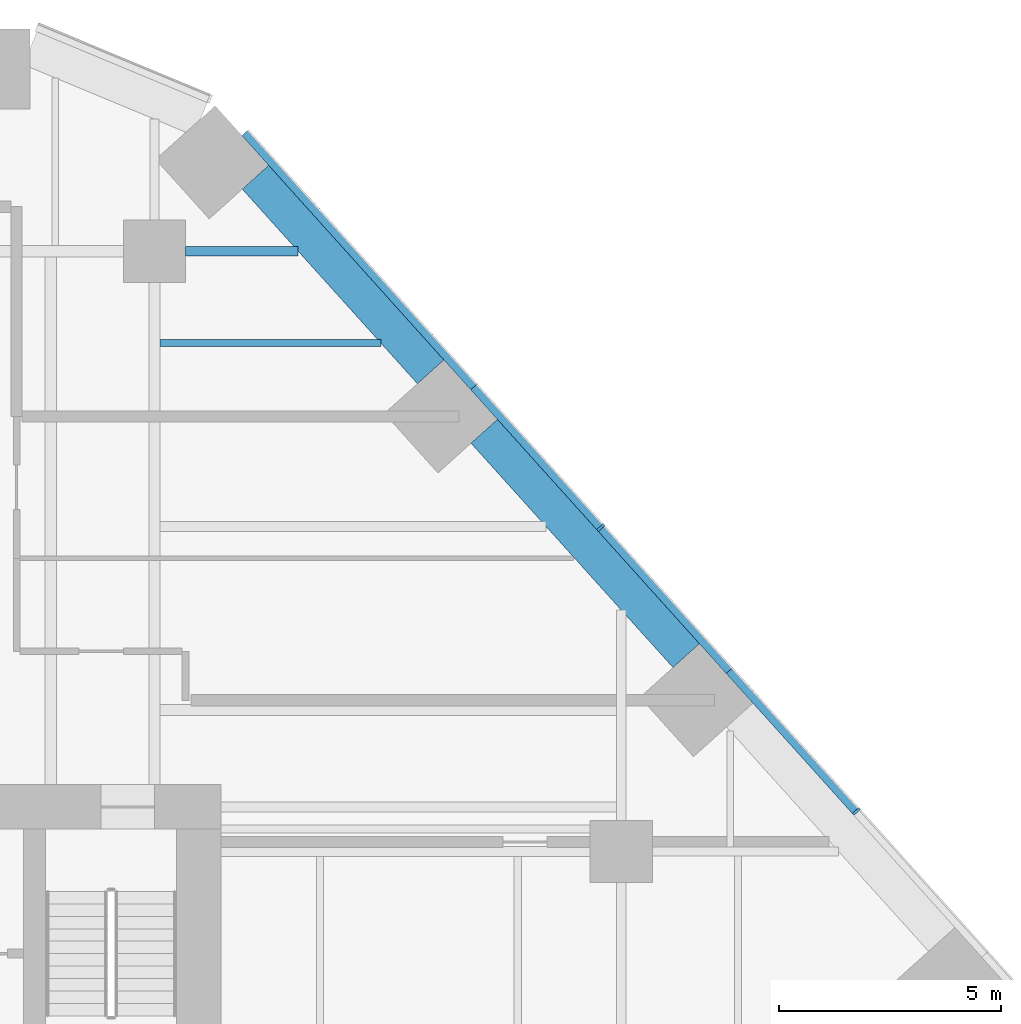
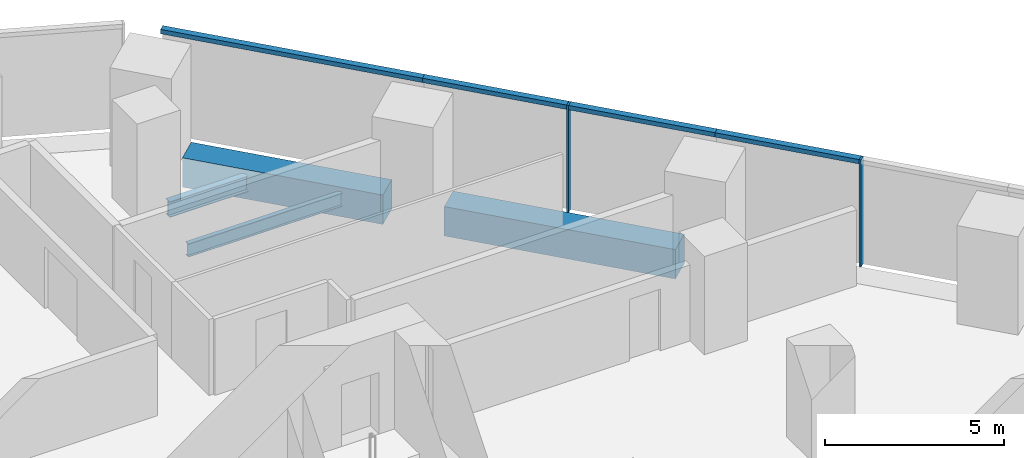
# One storey, part 10 of 20: 6 members, 4 beams, 1 element without a shape of its own.
"""IFC4 building model written with IfcOpenShell, lengths in metres."""

import ifcopenshell
import ifcopenshell.guid

model = None  # the IFC model being written
_history = None  # IfcOwnerHistory: only IFC2X3 demands one
_inside = {}  # id of a spatial element -> (the spatial element, [elements in it])
_under = {}  # id of a project, library or spatial element -> (it, [spatial elements below it])
_declared = {}  # id of a project -> (the project, [libraries it declares])
_typed = {}  # id of a type object -> (the type object, [elements of that type])
_made_of = {}  # id of a material, layer set ... -> (it, [elements and type objects made of it])


def new_model(schema):
    """Start an empty IFC model of exactly this schema.

    Asked for "IFC4X3", IfcOpenShell would pick the latest addendum, in which some entities
    have other attributes; the version numbers below select the first issue.
    IFC2X3 requires an IfcOwnerHistory on every rooted entity: one is made here for all.
    """
    global model, _history
    if schema == "IFC4X3":
        model = ifcopenshell.file(schema_version=(4, 3, 0, 0))
    else:
        model = ifcopenshell.file(schema=schema)
    _inside.clear()
    _under.clear()
    _declared.clear()
    _typed.clear()
    _made_of.clear()
    _history = None
    if model.schema == "IFC2X3":
        org = make("IfcOrganization", Name="unknown")
        user = make(
            "IfcPersonAndOrganization",
            ThePerson=make("IfcPerson", FamilyName="unknown"),
            TheOrganization=org,
        )
        app = make(
            "IfcApplication",
            ApplicationDeveloper=org,
            Version="unknown",
            ApplicationFullName="unknown",
            ApplicationIdentifier="unknown",
        )
        _history = make(
            "IfcOwnerHistory",
            OwningUser=user,
            OwningApplication=app,
            ChangeAction="ADDED",
            CreationDate=0,
        )
    return model


def make(cls, **values):
    """One entity of the class cls with the attributes given. An attribute that is None is left unset."""
    return model.create_entity(
        cls, **{name: value for name, value in values.items() if value is not None}
    )


def rooted(cls, **values):
    """An entity with a GlobalId (a new one), such as an element, a storey or a relation."""
    return make(cls, GlobalId=ifcopenshell.guid.new(), OwnerHistory=_history, **values)


def si_unit(unit_type, name, prefix=None):
    """IfcSIUnit, for example si_unit("LENGTHUNIT", "METRE", prefix="MILLI")."""
    return make("IfcSIUnit", UnitType=unit_type, Prefix=prefix, Name=name)


def assignment(units):
    """IfcUnitAssignment: the units of a project."""
    return None if units is None else make("IfcUnitAssignment", Units=units)


def point(xyz):
    """IfcCartesianPoint."""
    return None if xyz is None else make("IfcCartesianPoint", Coordinates=xyz)


def direction(xyz):
    """IfcDirection."""
    return None if xyz is None else make("IfcDirection", DirectionRatios=xyz)


def frame(location, z_axis=None, x_axis=None):
    """IfcAxis2Placement3D, a coordinate frame: its origin and axes. An axis left out is left unset."""
    return make(
        "IfcAxis2Placement3D",
        Location=point(location),
        Axis=direction(z_axis),
        RefDirection=direction(x_axis),
    )


def frame_2d(location, x_axis=None):
    """IfcAxis2Placement2D, a coordinate frame in the plane: its origin and x axis."""
    return make(
        "IfcAxis2Placement2D", Location=point(location), RefDirection=direction(x_axis)
    )


def origin():
    """The frame at (0, 0, 0) with its axes left unset."""
    return frame((0.0, 0.0, 0.0))


def origin_2d():
    """The frame at (0, 0) in the plane with its x axis left unset."""
    return frame_2d((0.0, 0.0))


def place(relative_to, where):
    """IfcLocalPlacement: puts the frame where relative to a parent placement (None: the world)."""
    return make(
        "IfcLocalPlacement", PlacementRelTo=relative_to, RelativePlacement=where
    )


def context(
    kind, dimensions, precision=None, world=None, true_north=None, identifier=None
):
    """IfcGeometricRepresentationContext, for example the 3D "Model" context."""
    return make(
        "IfcGeometricRepresentationContext",
        ContextIdentifier=identifier,
        ContextType=kind,
        CoordinateSpaceDimension=dimensions,
        Precision=precision,
        WorldCoordinateSystem=world,
        TrueNorth=true_north,
    )


def subcontext(parent, identifier, kind, view, scale=None):
    """IfcGeometricRepresentationSubContext, for example "Body" below "Model"."""
    return make(
        "IfcGeometricRepresentationSubContext",
        ContextIdentifier=identifier,
        ContextType=kind,
        ParentContext=parent,
        TargetScale=scale,
        TargetView=view,
    )


def project(units=None, contexts=None):
    """IfcProject with its units and contexts."""
    return rooted(
        "IfcProject",
        Name="project",
        RepresentationContexts=contexts,
        UnitsInContext=assignment(units),
    )


def spatial(cls, under=None, at=None, **own):
    """A site, building, storey or space (cls), placed at a placement, below another one or the project."""
    s = rooted(cls, ObjectPlacement=at, **own)
    if under is not None:
        _under.setdefault(under.id(), (under, []))[1].append(s)
    return s


def profile(cls, at=None, kind="AREA", **sizes):
    """A parametric profile (cls). Its sizes go by their IFC names, for example OverallWidth=200.0."""
    return make(cls, ProfileType=kind, Position=at, **sizes)


def rectangle(**sizes):
    """IfcRectangleProfileDef."""
    return profile("IfcRectangleProfileDef", **sizes)


def i_section(**sizes):
    """IfcIShapeProfileDef."""
    return profile("IfcIShapeProfileDef", **sizes)


def extrude(swept, where, along, depth):
    """IfcExtrudedAreaSolid: the profile swept, set in the frame where, extruded along a direction by depth."""
    return make(
        "IfcExtrudedAreaSolid",
        SweptArea=swept,
        Position=where,
        ExtrudedDirection=direction(along),
        Depth=depth,
    )


def shape(context_of_items, identifier, shape_type, items):
    """IfcShapeRepresentation: the items that make up one representation, for example the "Body"."""
    return make(
        "IfcShapeRepresentation",
        ContextOfItems=context_of_items,
        RepresentationIdentifier=identifier,
        RepresentationType=shape_type,
        Items=items,
    )


def material(Name=None, Category=None):
    """IfcMaterial."""
    return make("IfcMaterial", Name=Name, Category=Category)


def layer(
    of_material, thickness, ventilated=None, Name=None, Category=None, Priority=None
):
    """IfcMaterialLayer: one layer of a wall or slab, of a material (None: an air gap)."""
    return make(
        "IfcMaterialLayer",
        Material=of_material,
        LayerThickness=thickness,
        IsVentilated=ventilated,
        Name=Name,
        Category=Category,
        Priority=Priority,
    )


def layer_set(layers, Name=None):
    """IfcMaterialLayerSet."""
    return make("IfcMaterialLayerSet", MaterialLayers=layers, LayerSetName=Name)


def material_profile(
    of_material, cross_section, Name=None, Category=None, Priority=None
):
    """IfcMaterialProfile: a cross section and its material."""
    return make(
        "IfcMaterialProfile",
        Name=Name,
        Material=of_material,
        Profile=cross_section,
        Priority=Priority,
        Category=Category,
    )


def profile_set(profiles, Name=None, composite=None):
    """IfcMaterialProfileSet."""
    return make(
        "IfcMaterialProfileSet",
        Name=Name,
        MaterialProfiles=profiles,
        CompositeProfile=composite,
    )


def made_of(thing, what):
    """Note that an element or type object is made of a material, layer set ...; save() writes the relation."""
    if what is not None:
        _made_of.setdefault(what.id(), (what, []))[1].append(thing)
    return thing


def type_object(cls, material=None, **own):
    """A type object (cls), such as IfcWallType, which elements share."""
    return made_of(rooted(cls, **own), material)


def element(
    cls,
    number,
    at=None,
    inside=None,
    cuts=None,
    type_object=None,
    material=None,
    context=None,
    identifier="Body",
    shape_type=None,
    held_by="IfcProductDefinitionShape",
    body=None,
    shapes=None,
    **own,
):
    """One element of the class cls, such as IfcWall. Its Tag is "e" and its number.

    at: its placement. inside: the storey or other place that contains it. cuts: it is an
    opening in that element (IfcRelVoidsElement). A single representation is given by context,
    identifier, shape_type and body (its items); several are given by shapes. held_by: the class
    of the entity that holds the representations. save() writes the other relations.
    """
    e = rooted(cls, Tag="e%d" % number, ObjectPlacement=at, **own)
    if body is not None:
        shapes = [shape(context, identifier, shape_type, body)]
    if shapes is not None:
        e.Representation = make(held_by, Representations=shapes)
    if inside is not None:
        _inside.setdefault(inside.id(), (inside, []))[1].append(e)
    if cuts is not None:
        rooted(
            "IfcRelVoidsElement", RelatingBuildingElement=cuts, RelatedOpeningElement=e
        )
    if type_object is not None:
        _typed.setdefault(type_object.id(), (type_object, []))[1].append(e)
    return made_of(e, material)


def aggregate(whole, parts):
    """IfcRelAggregates: a whole, such as a stair, and the parts it consists of."""
    return rooted("IfcRelAggregates", RelatingObject=whole, RelatedObjects=parts)


def save(model, path):
    """Write the relations noted so far, then the file.

    IfcRelAggregates (storeys below a building ...), IfcRelContainedInSpatialStructure (elements
    in a storey), IfcRelDefinesByType, IfcRelAssociatesMaterial and IfcRelDeclares: one each for
    every whole, place, type object, material and project.
    """
    for whole, parts in _under.values():
        aggregate(whole, parts)
    for where, things in _inside.values():
        rooted(
            "IfcRelContainedInSpatialStructure",
            RelatedElements=things,
            RelatingStructure=where,
        )
    for kind, things in _typed.values():
        rooted("IfcRelDefinesByType", RelatedObjects=things, RelatingType=kind)
    for what, things in _made_of.values():
        rooted("IfcRelAssociatesMaterial", RelatedObjects=things, RelatingMaterial=what)
    for by, libraries in _declared.values():
        rooted("IfcRelDeclares", RelatingContext=by, RelatedDefinitions=libraries)
    model.write(path)


model = new_model("IFC4")

# Units and contexts
model_context = context("Model", 3, precision=1e-05, world=origin(), true_north=direction((0.0, 1.0)))
body_context = subcontext(model_context, "Body", "Model", "MODEL_VIEW")
ifc_project = project(units=[si_unit("LENGTHUNIT", "METRE"), si_unit("AREAUNIT", "SQUARE_METRE"), si_unit("VOLUMEUNIT", "CUBIC_METRE"), si_unit("PLANEANGLEUNIT", "RADIAN"), si_unit("MASSUNIT", "GRAM", prefix="KILO")], contexts=[model_context])

# Site, building, storey
site_placement = place(None, origin())
site = spatial("IfcSite", under=ifc_project, at=site_placement, CompositionType="ELEMENT")
building_placement = place(site_placement, origin())
building = spatial("IfcBuilding", under=site, at=building_placement, Name="Isthmus Gate Tower", CompositionType="ELEMENT")
storey_placement = place(building_placement, frame((0.0, 0.0, 72.5)))
storey = spatial("IfcBuildingStorey", under=building, at=storey_placement, Name="L16", CompositionType="ELEMENT", Elevation=72.5)

# Curtain wall, members
ifc_material_1 = material(Name="Aluminium, pale champagne anodised", Category="aluminium")
ifc_layer = layer(ifc_material_1, 0.199951171875)
ifc_layer_set = layer_set([ifc_layer], Name="CW-1 UNITISED CURTAIN WALL 200 DEEP")
curtain_wall_type = type_object("IfcCurtainWallType", Name="CW-1 UNITISED CURTAIN WALL 200 DEEP", PredefinedType="NOTDEFINED", material=ifc_layer_set)
curtain_wall_placement = place(storey_placement, origin())
curtain_wall = element("IfcCurtainWall", 1, at=curtain_wall_placement, inside=storey, type_object=curtain_wall_type, Name="CW-1 NE L16", PredefinedType="NOTDEFINED")
ifc_material_2 = material(Name="Aluminium, pale champagne anodised", Category="aluminium")
ifc_material_profile_1 = material_profile(ifc_material_2, rectangle(XDim=0.06005859375, YDim=0.199951171875, at=origin_2d()), Name="60x200")
ifc_profile_set_1 = profile_set([ifc_material_profile_1], Name="Aluminium, pale champagne anodised")
member_type_1 = type_object("IfcMemberType", Name="CW-1 MULLION 60 X 200", PredefinedType="MULLION", material=ifc_profile_set_1)
member_1_placement = place(storey_placement, frame((29.287841796875, 14.400146484375, 0.0), z_axis=(0.0, 0.0, 1.0), x_axis=(-0.669130606359, 0.743144825477, 0.0)))
member_1 = element("IfcMember", 2, at=member_1_placement, type_object=member_type_1, Name="CW-1 mullion", PredefinedType="MULLION", context=body_context, shape_type="SweptSolid", body=[
    extrude(rectangle(XDim=0.06005859375, YDim=0.199951171875, at=origin_2d()), origin(), (0.0, 0.0, 1.0), 3.64990234375),
])
member_2_placement = place(storey_placement, frame((23.54052734375, 20.783447265625, 0.0), z_axis=(0.0, 0.0, 1.0), x_axis=(-0.669130606359, 0.743144825477, 0.0)))
member_2 = element("IfcMember", 3, at=member_2_placement, type_object=member_type_1, Name="CW-1 mullion", PredefinedType="MULLION", context=body_context, shape_type="SweptSolid", body=[
    extrude(rectangle(XDim=0.06005859375, YDim=0.199951171875, at=origin_2d()), origin(), (0.0, 0.0, 1.0), 3.64990234375),
])
ifc_material_3 = material(Name="Aluminium, pale champagne anodised", Category="aluminium")
ifc_material_profile_2 = material_profile(ifc_material_3, rectangle(XDim=0.199951171875, YDim=0.14990234375, at=origin_2d()), Name="200x150")
ifc_profile_set_2 = profile_set([ifc_material_profile_2], Name="Aluminium, pale champagne anodised")
member_type_2 = type_object("IfcMemberType", Name="CW-1 TRANSOM 200 X 150", PredefinedType="USERDEFINED", material=ifc_profile_set_2)
member_3_placement = place(storey_placement, frame((29.267822265625, 14.422607421875, 3.574951171875), z_axis=(-0.669123979474, 0.743150792298, 0.0), x_axis=(-0.743150792298, -0.669123979474, 0.0)))
member_3 = element("IfcMember", 4, at=member_3_placement, type_object=member_type_2, Name="CW-1 transom", ObjectType="TRANSOM", PredefinedType="USERDEFINED", context=body_context, shape_type="SweptSolid", body=[
    extrude(rectangle(XDim=0.199951171875, YDim=0.14990234375, at=origin_2d()), origin(), (0.0, 0.0, 1.0), 4.234619140625),
])
member_4_placement = place(storey_placement, frame((26.434326171875, 17.569580078125, 3.574951171875), z_axis=(-0.669159437096, 0.743118865153, 0.0), x_axis=(-0.743118865153, -0.669159437096, 0.0)))
member_4 = element("IfcMember", 5, at=member_4_placement, type_object=member_type_2, Name="CW-1 transom", ObjectType="TRANSOM", PredefinedType="USERDEFINED", context=body_context, shape_type="SweptSolid", body=[
    extrude(rectangle(XDim=0.199951171875, YDim=0.14990234375, at=origin_2d()), origin(), (0.0, 0.0, 1.0), 4.294677734375),
])
member_5_placement = place(storey_placement, frame((23.520263671875, 20.8056640625, 3.574951171875), z_axis=(-0.669123979474, 0.743150792298, 0.0), x_axis=(-0.743150792298, -0.669123979474, 0.0)))
member_5 = element("IfcMember", 6, at=member_5_placement, type_object=member_type_2, Name="CW-1 transom", ObjectType="TRANSOM", PredefinedType="USERDEFINED", context=body_context, shape_type="SweptSolid", body=[
    extrude(rectangle(XDim=0.199951171875, YDim=0.14990234375, at=origin_2d()), origin(), (0.0, 0.0, 1.0), 4.234619140625),
])
member_6_placement = place(storey_placement, frame((20.686767578125, 23.95263671875, 3.574951171875), z_axis=(-0.669115577823, 0.743158356957, 0.0), x_axis=(-0.743158356957, -0.669115577823, 0.0)))
member_6 = element("IfcMember", 7, at=member_6_placement, type_object=member_type_2, Name="CW-1 transom", ObjectType="TRANSOM", PredefinedType="USERDEFINED", context=body_context, shape_type="SweptSolid", body=[
    extrude(rectangle(XDim=0.199951171875, YDim=0.14990234375, at=origin_2d()), origin(), (0.0, 0.0, 1.0), 7.689208984375),
])
aggregate(curtain_wall, [member_1, member_3, member_4, member_2, member_5, member_6])

# Beams
ifc_material_4 = material(Name="Concrete f'c 70 MPa", Category="concrete")
ifc_material_profile_3 = material_profile(ifc_material_4, rectangle(XDim=0.800048828125, YDim=1.0, at=origin_2d()), Name="RC 800X1000")
ifc_profile_set_3 = profile_set([ifc_material_profile_3], Name="Concrete f'c 70 MPa")
beam_type_1 = type_object("IfcBeamType", Name="RC SPANDREL 800 X 1000", PredefinedType="SPANDREL", material=ifc_profile_set_3)
beam_1_placement = place(storey_placement, frame((15.772216796875, 28.66357421875, -0.5), z_axis=(0.669141061586, -0.743135411415, 0.0), x_axis=(0.743135411415, 0.669141061586, 0.0)))
element("IfcBeam", 8, at=beam_1_placement, inside=storey, type_object=beam_type_1, Name="str-spandrel-L16-01", PredefinedType="SPANDREL", context=body_context, shape_type="SweptSolid", body=[
    extrude(rectangle(XDim=0.800048828125, YDim=1.0, at=origin_2d()), origin(), (0.0, 0.0, 1.0), 5.889404296875),
])
beam_2_placement = place(storey_placement, frame((20.91748046875, 22.94921875, -0.5), z_axis=(0.669135571547, -0.743140354772, 0.0), x_axis=(0.743140354772, 0.669135571547, 0.0)))
element("IfcBeam", 9, at=beam_2_placement, inside=storey, type_object=beam_type_1, Name="str-spandrel-L16-02", PredefinedType="SPANDREL", context=body_context, shape_type="SweptSolid", body=[
    extrude(rectangle(XDim=0.800048828125, YDim=1.0, at=origin_2d()), origin(), (0.0, 0.0, 1.0), 6.789306640625),
])
ifc_material_5 = material(Name="Structural steel ASTM A992 Gr 50", Category="steel")
ifc_material_profile_4 = material_profile(ifc_material_5, i_section(OverallWidth=0.15234375, OverallDepth=0.45068359375, WebThickness=0.0078125, FlangeThickness=0.010986328125, at=origin_2d()), Name="W18X35")
ifc_profile_set_4 = profile_set([ifc_material_profile_4], Name="Structural steel ASTM A992 Gr 50")
beam_type_2 = type_object("IfcBeamType", Name="STEEL FLOOR BEAM W18X35", PredefinedType="JOIST", material=ifc_profile_set_4)
beam_3_placement = place(storey_placement, frame((13.626953125, 24.935791015625, -0.37548828125), z_axis=(1.0, 0.0, 0.0), x_axis=(0.0, 1.0, 0.0)))
element("IfcBeam", 10, at=beam_3_placement, inside=storey, type_object=beam_type_2, Name="str-beam-L16-26-02", PredefinedType="JOIST", context=body_context, shape_type="SweptSolid", body=[
    extrude(i_section(OverallWidth=0.15234375, OverallDepth=0.45068359375, WebThickness=0.0078125, FlangeThickness=0.010986328125, at=origin_2d()), origin(), (0.0, 0.0, 1.0), 4.963623046875),
])
ifc_material_6 = material(Name="Structural steel ASTM A992 Gr 50", Category="steel")
ifc_material_profile_5 = material_profile(ifc_material_6, i_section(OverallWidth=0.20947265625, OverallDepth=0.533447265625, WebThickness=0.009521484375, FlangeThickness=0.015869140625, at=origin_2d()), Name="W21X62")
ifc_profile_set_5 = profile_set([ifc_material_profile_5], Name="Structural steel ASTM A992 Gr 50")
beam_type_3 = type_object("IfcBeamType", Name="STEEL GIRDER W21X62", PredefinedType="BEAM", material=ifc_profile_set_5)
beam_4_placement = place(storey_placement, frame((14.199951171875, 27.0, -0.416748046875), z_axis=(1.0, 0.0, 0.0), x_axis=(0.0, 1.0, 0.0)))
element("IfcBeam", 11, at=beam_4_placement, inside=storey, type_object=beam_type_3, Name="str-girder-L16-19", PredefinedType="BEAM", context=body_context, shape_type="SweptSolid", body=[
    extrude(i_section(OverallWidth=0.20947265625, OverallDepth=0.533447265625, WebThickness=0.009521484375, FlangeThickness=0.015869140625, at=origin_2d()), origin(), (0.0, 0.0, 1.0), 2.531982421875),
])

save(model, "model.ifc")
